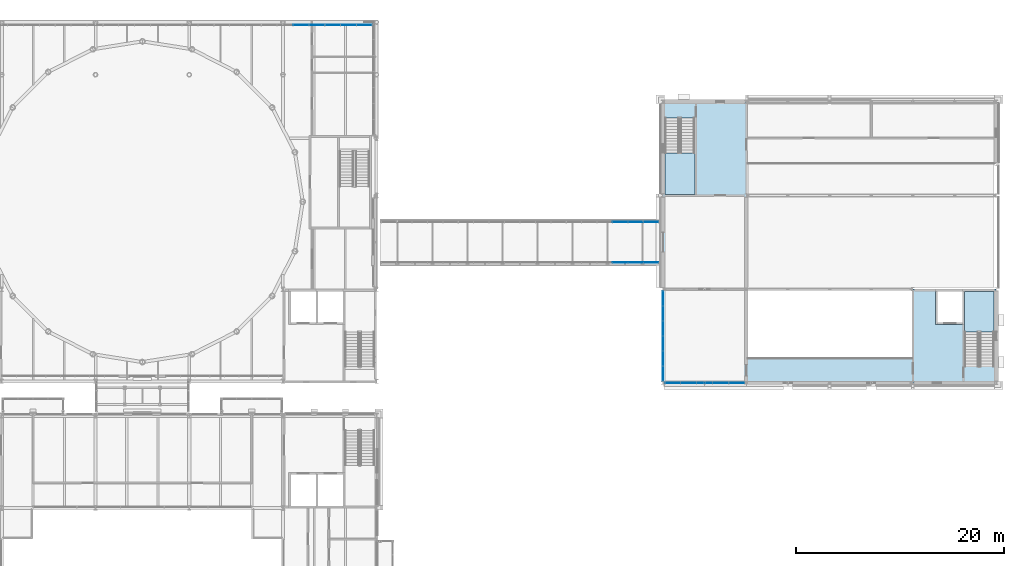
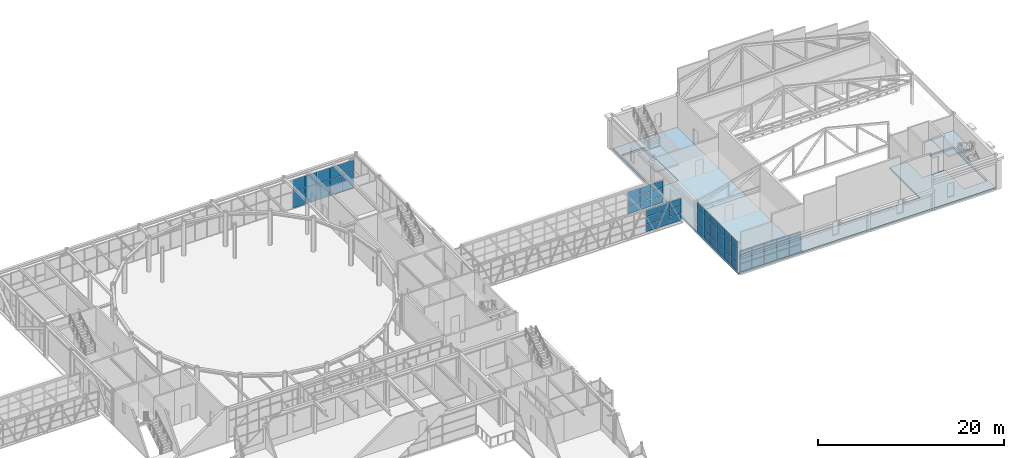
# One storey, part 85 of 149: 61 plates, 4 slabs, 7 elements without a shape of their own.
"""IFC4 building model written with IfcOpenShell, lengths in metres."""

from ifc_helpers import new_model, si_unit, direction, frame, origin, origin_2d, place, context, subcontext, project, spatial, polyline, rectangle, outline, extrude, material, layer, layer_set, type_object, element, aggregate, save


model = new_model("IFC4")

# Units and contexts
model_context = context("Model", 3, precision=1e-05, world=origin(), true_north=direction((0.0, 1.0)))
body_context = subcontext(model_context, "Body", "Model", "MODEL_VIEW")
ifc_project = project(units=[si_unit("LENGTHUNIT", "METRE"), si_unit("AREAUNIT", "SQUARE_METRE"), si_unit("VOLUMEUNIT", "CUBIC_METRE"), si_unit("PLANEANGLEUNIT", "RADIAN"), si_unit("MASSUNIT", "GRAM", prefix="KILO")], contexts=[model_context])

# Site, building, storey
site_placement = place(None, origin())
site = spatial("IfcSite", under=ifc_project, at=site_placement, CompositionType="ELEMENT")
building_placement = place(site_placement, origin())
building = spatial("IfcBuilding", under=site, at=building_placement, Name="Kallimachos Central Library", CompositionType="ELEMENT")
storey_placement = place(building_placement, frame((0.0, 0.0, 9.89990234375)))
storey = spatial("IfcBuildingStorey", under=building, at=storey_placement, Name="L02", CompositionType="ELEMENT", Elevation=9.89990234375)

# Slabs
ifc_material_1 = material(Name="Composite slab C30/37 on steel deck", Category="concrete")
ifc_layer_1 = layer(ifc_material_1, 0.25)
ifc_layer_set_1 = layer_set([ifc_layer_1], Name="Core floor slab 250")
slab_type_1 = type_object("IfcSlabType", Name="Core floor slab 250", PredefinedType="FLOOR", material=ifc_layer_set_1)
slab_1_placement = place(storey_placement, frame((0.0, 0.0, -0.25)))
element("IfcSlab", 1, at=slab_1_placement, inside=storey, type_object=slab_type_1, Name="V3-SLB-L02-001", PredefinedType="FLOOR", context=body_context, shape_type="SweptSolid", body=[
    extrude(outline(polyline([(138.0, 87.0), (138.0, 114.0), (146.0, 114.0), (146.0, 87.0), (138.0, 87.0)]), holes=[polyline([(138.199951171875, 105.199951171875), (141.050048828125, 105.199951171875), (141.050048828125, 112.446044921875), (138.199951171875, 112.446044921875), (138.199951171875, 105.199951171875)])]), origin(), (0.0, 0.0, 1.0), 0.25),
])
slab_2_placement = place(storey_placement, frame((0.0, 0.0, -0.25)))
element("IfcSlab", 2, at=slab_2_placement, inside=storey, type_object=slab_type_1, Name="V3-SLB-L02-002", PredefinedType="FLOOR", context=body_context, shape_type="SweptSolid", body=[
    extrude(outline(polyline([(146.0, 89.39990234375), (162.0, 89.39990234375), (162.0, 96.0), (164.14990234375, 96.0), (164.14990234375, 92.60009765625), (166.949951171875, 92.60009765625), (166.949951171875, 88.553955078125), (169.800048828125, 88.553955078125), (169.800048828125, 95.800048828125), (166.949951171875, 95.800048828125), (166.949951171875, 96.0), (170.0, 96.0), (170.0, 87.0), (146.0, 87.0), (146.0, 89.39990234375)])), origin(), (0.0, 0.0, 1.0), 0.25),
])

# Curtain wall, plates
ifc_material_2 = material(Name="Laminated glass in anodised aluminium", Category="aluminium")
curtain_wall_type_1 = type_object("IfcCurtainWallType", Name="Foyer curtain wall", PredefinedType="NOTDEFINED", material=ifc_material_2)
curtain_wall_1_placement = place(storey_placement, origin())
curtain_wall_1 = element("IfcCurtainWall", 3, at=curtain_wall_1_placement, inside=storey, type_object=curtain_wall_type_1, Name="V3-CWL-L02-001", PredefinedType="NOTDEFINED")
ifc_material_3 = material(Name="Laminated glass", Category="glass")
ifc_layer_2 = layer(ifc_material_3, 0.028076171875)
ifc_layer_set_2 = layer_set([ifc_layer_2], Name="Curtain wall glass panel 28")
plate_type_1 = type_object("IfcPlateType", Name="Curtain wall glass panel 28", PredefinedType="CURTAIN_PANEL", material=ifc_layer_set_2)
plate_1_placement = place(storey_placement, frame((138.0, 87.889892578125, 0.06005859375), z_axis=(0.0, 0.0, 1.0), x_axis=(0.0, 1.0, 0.0)))
plate_1 = element("IfcPlate", 4, at=plate_1_placement, type_object=plate_type_1, Name="CW panel 1.1", PredefinedType="CURTAIN_PANEL", context=body_context, shape_type="SweptSolid", body=[
    extrude(rectangle(XDim=1.360107421875, YDim=0.028076171875, at=origin_2d()), origin(), (0.0, 0.0, 1.0), 1.010009765625),
])
plate_2_placement = place(storey_placement, frame((138.0, 87.889892578125, 1.1298828125), z_axis=(0.0, 0.0, 1.0), x_axis=(0.0, 1.0, 0.0)))
plate_2 = element("IfcPlate", 5, at=plate_2_placement, type_object=plate_type_1, Name="CW panel 1.2", PredefinedType="CURTAIN_PANEL", context=body_context, shape_type="SweptSolid", body=[
    extrude(rectangle(XDim=1.360107421875, YDim=0.028076171875, at=origin_2d()), origin(), (0.0, 0.0, 1.0), 1.840087890625),
])
plate_3_placement = place(storey_placement, frame((138.0, 87.889892578125, 3.030029296875), z_axis=(0.0, 0.0, 1.0), x_axis=(0.0, 1.0, 0.0)))
plate_3 = element("IfcPlate", 6, at=plate_3_placement, type_object=plate_type_1, Name="CW panel 1.3", PredefinedType="CURTAIN_PANEL", context=body_context, shape_type="SweptSolid", body=[
    extrude(rectangle(XDim=1.360107421875, YDim=0.028076171875, at=origin_2d()), origin(), (0.0, 0.0, 1.0), 0.9599609375),
])
plate_4_placement = place(storey_placement, frame((138.0, 89.324951171875, 0.06005859375), z_axis=(0.0, 0.0, 1.0), x_axis=(0.0, 1.0, 0.0)))
plate_4 = element("IfcPlate", 7, at=plate_4_placement, type_object=plate_type_1, Name="CW panel 2.1", PredefinedType="CURTAIN_PANEL", context=body_context, shape_type="SweptSolid", body=[
    extrude(rectangle(XDim=1.389892578125, YDim=0.028076171875, at=origin_2d()), origin(), (0.0, 0.0, 1.0), 1.010009765625),
])
plate_5_placement = place(storey_placement, frame((138.0, 89.324951171875, 1.1298828125), z_axis=(0.0, 0.0, 1.0), x_axis=(0.0, 1.0, 0.0)))
plate_5 = element("IfcPlate", 8, at=plate_5_placement, type_object=plate_type_1, Name="CW panel 2.2", PredefinedType="CURTAIN_PANEL", context=body_context, shape_type="SweptSolid", body=[
    extrude(rectangle(XDim=1.389892578125, YDim=0.028076171875, at=origin_2d()), origin(), (0.0, 0.0, 1.0), 1.840087890625),
])
plate_6_placement = place(storey_placement, frame((138.0, 89.324951171875, 3.030029296875), z_axis=(0.0, 0.0, 1.0), x_axis=(0.0, 1.0, 0.0)))
plate_6 = element("IfcPlate", 9, at=plate_6_placement, type_object=plate_type_1, Name="CW panel 2.3", PredefinedType="CURTAIN_PANEL", context=body_context, shape_type="SweptSolid", body=[
    extrude(rectangle(XDim=1.389892578125, YDim=0.028076171875, at=origin_2d()), origin(), (0.0, 0.0, 1.0), 0.9599609375),
])
plate_7_placement = place(storey_placement, frame((138.0, 90.77490234375, 0.06005859375), z_axis=(0.0, 0.0, 1.0), x_axis=(0.0, 1.0, 0.0)))
plate_7 = element("IfcPlate", 10, at=plate_7_placement, type_object=plate_type_1, Name="CW panel 3.1", PredefinedType="CURTAIN_PANEL", context=body_context, shape_type="SweptSolid", body=[
    extrude(rectangle(XDim=1.389892578125, YDim=0.028076171875, at=origin_2d()), origin(), (0.0, 0.0, 1.0), 1.010009765625),
])
plate_8_placement = place(storey_placement, frame((138.0, 90.77490234375, 1.1298828125), z_axis=(0.0, 0.0, 1.0), x_axis=(0.0, 1.0, 0.0)))
plate_8 = element("IfcPlate", 11, at=plate_8_placement, type_object=plate_type_1, Name="CW panel 3.2", PredefinedType="CURTAIN_PANEL", context=body_context, shape_type="SweptSolid", body=[
    extrude(rectangle(XDim=1.389892578125, YDim=0.028076171875, at=origin_2d()), origin(), (0.0, 0.0, 1.0), 1.840087890625),
])
plate_9_placement = place(storey_placement, frame((138.0, 90.77490234375, 3.030029296875), z_axis=(0.0, 0.0, 1.0), x_axis=(0.0, 1.0, 0.0)))
plate_9 = element("IfcPlate", 12, at=plate_9_placement, type_object=plate_type_1, Name="CW panel 3.3", PredefinedType="CURTAIN_PANEL", context=body_context, shape_type="SweptSolid", body=[
    extrude(rectangle(XDim=1.389892578125, YDim=0.028076171875, at=origin_2d()), origin(), (0.0, 0.0, 1.0), 0.9599609375),
])
plate_10_placement = place(storey_placement, frame((138.0, 92.22509765625, 0.06005859375), z_axis=(0.0, 0.0, 1.0), x_axis=(0.0, 1.0, 0.0)))
plate_10 = element("IfcPlate", 13, at=plate_10_placement, type_object=plate_type_1, Name="CW panel 4.1", PredefinedType="CURTAIN_PANEL", context=body_context, shape_type="SweptSolid", body=[
    extrude(rectangle(XDim=1.389892578125, YDim=0.028076171875, at=origin_2d()), origin(), (0.0, 0.0, 1.0), 1.010009765625),
])
plate_11_placement = place(storey_placement, frame((138.0, 92.22509765625, 1.1298828125), z_axis=(0.0, 0.0, 1.0), x_axis=(0.0, 1.0, 0.0)))
plate_11 = element("IfcPlate", 14, at=plate_11_placement, type_object=plate_type_1, Name="CW panel 4.2", PredefinedType="CURTAIN_PANEL", context=body_context, shape_type="SweptSolid", body=[
    extrude(rectangle(XDim=1.389892578125, YDim=0.028076171875, at=origin_2d()), origin(), (0.0, 0.0, 1.0), 1.840087890625),
])
plate_12_placement = place(storey_placement, frame((138.0, 92.22509765625, 3.030029296875), z_axis=(0.0, 0.0, 1.0), x_axis=(0.0, 1.0, 0.0)))
plate_12 = element("IfcPlate", 15, at=plate_12_placement, type_object=plate_type_1, Name="CW panel 4.3", PredefinedType="CURTAIN_PANEL", context=body_context, shape_type="SweptSolid", body=[
    extrude(rectangle(XDim=1.389892578125, YDim=0.028076171875, at=origin_2d()), origin(), (0.0, 0.0, 1.0), 0.9599609375),
])
plate_13_placement = place(storey_placement, frame((138.0, 93.675048828125, 0.06005859375), z_axis=(0.0, 0.0, 1.0), x_axis=(0.0, 1.0, 0.0)))
plate_13 = element("IfcPlate", 16, at=plate_13_placement, type_object=plate_type_1, Name="CW panel 5.1", PredefinedType="CURTAIN_PANEL", context=body_context, shape_type="SweptSolid", body=[
    extrude(rectangle(XDim=1.389892578125, YDim=0.028076171875, at=origin_2d()), origin(), (0.0, 0.0, 1.0), 1.010009765625),
])
plate_14_placement = place(storey_placement, frame((138.0, 93.675048828125, 1.1298828125), z_axis=(0.0, 0.0, 1.0), x_axis=(0.0, 1.0, 0.0)))
plate_14 = element("IfcPlate", 17, at=plate_14_placement, type_object=plate_type_1, Name="CW panel 5.2", PredefinedType="CURTAIN_PANEL", context=body_context, shape_type="SweptSolid", body=[
    extrude(rectangle(XDim=1.389892578125, YDim=0.028076171875, at=origin_2d()), origin(), (0.0, 0.0, 1.0), 1.840087890625),
])
plate_15_placement = place(storey_placement, frame((138.0, 93.675048828125, 3.030029296875), z_axis=(0.0, 0.0, 1.0), x_axis=(0.0, 1.0, 0.0)))
plate_15 = element("IfcPlate", 18, at=plate_15_placement, type_object=plate_type_1, Name="CW panel 5.3", PredefinedType="CURTAIN_PANEL", context=body_context, shape_type="SweptSolid", body=[
    extrude(rectangle(XDim=1.389892578125, YDim=0.028076171875, at=origin_2d()), origin(), (0.0, 0.0, 1.0), 0.9599609375),
])
plate_16_placement = place(storey_placement, frame((138.0, 95.110107421875, 0.06005859375), z_axis=(0.0, 0.0, 1.0), x_axis=(0.0, 1.0, 0.0)))
plate_16 = element("IfcPlate", 19, at=plate_16_placement, type_object=plate_type_1, Name="CW panel 6.1", PredefinedType="CURTAIN_PANEL", context=body_context, shape_type="SweptSolid", body=[
    extrude(rectangle(XDim=1.360107421875, YDim=0.028076171875, at=origin_2d()), origin(), (0.0, 0.0, 1.0), 1.010009765625),
])
plate_17_placement = place(storey_placement, frame((138.0, 95.110107421875, 1.1298828125), z_axis=(0.0, 0.0, 1.0), x_axis=(0.0, 1.0, 0.0)))
plate_17 = element("IfcPlate", 20, at=plate_17_placement, type_object=plate_type_1, Name="CW panel 6.2", PredefinedType="CURTAIN_PANEL", context=body_context, shape_type="SweptSolid", body=[
    extrude(rectangle(XDim=1.360107421875, YDim=0.028076171875, at=origin_2d()), origin(), (0.0, 0.0, 1.0), 1.840087890625),
])
plate_18_placement = place(storey_placement, frame((138.0, 95.110107421875, 3.030029296875), z_axis=(0.0, 0.0, 1.0), x_axis=(0.0, 1.0, 0.0)))
plate_18 = element("IfcPlate", 21, at=plate_18_placement, type_object=plate_type_1, Name="CW panel 6.3", PredefinedType="CURTAIN_PANEL", context=body_context, shape_type="SweptSolid", body=[
    extrude(rectangle(XDim=1.360107421875, YDim=0.028076171875, at=origin_2d()), origin(), (0.0, 0.0, 1.0), 0.9599609375),
])
aggregate(curtain_wall_1, [plate_1, plate_2, plate_3, plate_4, plate_5, plate_6, plate_7, plate_8, plate_9, plate_10, plate_11, plate_12, plate_13, plate_14, plate_15, plate_16, plate_17, plate_18])

curtain_wall_2_placement = place(storey_placement, origin())
curtain_wall_2 = element("IfcCurtainWall", 22, at=curtain_wall_2_placement, inside=storey, type_object=curtain_wall_type_1, Name="V3-CWL-L02-002", PredefinedType="NOTDEFINED")
plate_19_placement = place(storey_placement, frame((138.93505859375, 87.0, 0.06005859375), z_axis=(0.0, 0.0, 1.0), x_axis=(1.0, 0.0, 0.0)))
plate_19 = element("IfcPlate", 23, at=plate_19_placement, type_object=plate_type_1, Name="CW panel 1.1", PredefinedType="CURTAIN_PANEL", context=body_context, shape_type="SweptSolid", body=[
    extrude(rectangle(XDim=1.449951171875, YDim=0.028076171875, at=origin_2d()), origin(), (0.0, 0.0, 1.0), 1.010009765625),
])
plate_20_placement = place(storey_placement, frame((138.93505859375, 87.0, 1.1298828125), z_axis=(0.0, 0.0, 1.0), x_axis=(1.0, 0.0, 0.0)))
plate_20 = element("IfcPlate", 24, at=plate_20_placement, type_object=plate_type_1, Name="CW panel 1.2", PredefinedType="CURTAIN_PANEL", context=body_context, shape_type="SweptSolid", body=[
    extrude(rectangle(XDim=1.449951171875, YDim=0.028076171875, at=origin_2d()), origin(), (0.0, 0.0, 1.0), 1.090087890625),
])
plate_21_placement = place(storey_placement, frame((138.93505859375, 87.0, 2.2802734375), z_axis=(0.0, 0.0, 1.0), x_axis=(1.0, 0.0, 0.0)))
plate_21 = element("IfcPlate", 25, at=plate_21_placement, type_object=plate_type_1, Name="CW panel 1.3", PredefinedType="CURTAIN_PANEL", context=body_context, shape_type="SweptSolid", body=[
    extrude(rectangle(XDim=1.449951171875, YDim=0.028076171875, at=origin_2d()), origin(), (0.0, 0.0, 1.0), 0.510009765625),
])
plate_22_placement = place(storey_placement, frame((140.4599609375, 87.0, 0.06005859375), z_axis=(0.0, 0.0, 1.0), x_axis=(1.0, 0.0, 0.0)))
plate_22 = element("IfcPlate", 26, at=plate_22_placement, type_object=plate_type_1, Name="CW panel 2.1", PredefinedType="CURTAIN_PANEL", context=body_context, shape_type="SweptSolid", body=[
    extrude(rectangle(XDim=1.47998046875, YDim=0.028076171875, at=origin_2d()), origin(), (0.0, 0.0, 1.0), 1.010009765625),
])
plate_23_placement = place(storey_placement, frame((140.4599609375, 87.0, 1.1298828125), z_axis=(0.0, 0.0, 1.0), x_axis=(1.0, 0.0, 0.0)))
plate_23 = element("IfcPlate", 27, at=plate_23_placement, type_object=plate_type_1, Name="CW panel 2.2", PredefinedType="CURTAIN_PANEL", context=body_context, shape_type="SweptSolid", body=[
    extrude(rectangle(XDim=1.47998046875, YDim=0.028076171875, at=origin_2d()), origin(), (0.0, 0.0, 1.0), 1.090087890625),
])
plate_24_placement = place(storey_placement, frame((140.4599609375, 87.0, 2.2802734375), z_axis=(0.0, 0.0, 1.0), x_axis=(1.0, 0.0, 0.0)))
plate_24 = element("IfcPlate", 28, at=plate_24_placement, type_object=plate_type_1, Name="CW panel 2.3", PredefinedType="CURTAIN_PANEL", context=body_context, shape_type="SweptSolid", body=[
    extrude(rectangle(XDim=1.47998046875, YDim=0.028076171875, at=origin_2d()), origin(), (0.0, 0.0, 1.0), 0.510009765625),
])
plate_25_placement = place(storey_placement, frame((142.0, 87.0, 0.06005859375), z_axis=(0.0, 0.0, 1.0), x_axis=(1.0, 0.0, 0.0)))
plate_25 = element("IfcPlate", 29, at=plate_25_placement, type_object=plate_type_1, Name="CW panel 3.1", PredefinedType="CURTAIN_PANEL", context=body_context, shape_type="SweptSolid", body=[
    extrude(rectangle(XDim=1.47998046875, YDim=0.028076171875, at=origin_2d()), origin(), (0.0, 0.0, 1.0), 1.010009765625),
])
plate_26_placement = place(storey_placement, frame((142.0, 87.0, 1.1298828125), z_axis=(0.0, 0.0, 1.0), x_axis=(1.0, 0.0, 0.0)))
plate_26 = element("IfcPlate", 30, at=plate_26_placement, type_object=plate_type_1, Name="CW panel 3.2", PredefinedType="CURTAIN_PANEL", context=body_context, shape_type="SweptSolid", body=[
    extrude(rectangle(XDim=1.47998046875, YDim=0.028076171875, at=origin_2d()), origin(), (0.0, 0.0, 1.0), 1.090087890625),
])
plate_27_placement = place(storey_placement, frame((142.0, 87.0, 2.2802734375), z_axis=(0.0, 0.0, 1.0), x_axis=(1.0, 0.0, 0.0)))
plate_27 = element("IfcPlate", 31, at=plate_27_placement, type_object=plate_type_1, Name="CW panel 3.3", PredefinedType="CURTAIN_PANEL", context=body_context, shape_type="SweptSolid", body=[
    extrude(rectangle(XDim=1.47998046875, YDim=0.028076171875, at=origin_2d()), origin(), (0.0, 0.0, 1.0), 0.510009765625),
])
plate_28_placement = place(storey_placement, frame((143.5400390625, 87.0, 0.06005859375), z_axis=(0.0, 0.0, 1.0), x_axis=(1.0, 0.0, 0.0)))
plate_28 = element("IfcPlate", 32, at=plate_28_placement, type_object=plate_type_1, Name="CW panel 4.1", PredefinedType="CURTAIN_PANEL", context=body_context, shape_type="SweptSolid", body=[
    extrude(rectangle(XDim=1.47998046875, YDim=0.028076171875, at=origin_2d()), origin(), (0.0, 0.0, 1.0), 1.010009765625),
])
plate_29_placement = place(storey_placement, frame((143.5400390625, 87.0, 1.1298828125), z_axis=(0.0, 0.0, 1.0), x_axis=(1.0, 0.0, 0.0)))
plate_29 = element("IfcPlate", 33, at=plate_29_placement, type_object=plate_type_1, Name="CW panel 4.2", PredefinedType="CURTAIN_PANEL", context=body_context, shape_type="SweptSolid", body=[
    extrude(rectangle(XDim=1.47998046875, YDim=0.028076171875, at=origin_2d()), origin(), (0.0, 0.0, 1.0), 1.090087890625),
])
plate_30_placement = place(storey_placement, frame((143.5400390625, 87.0, 2.2802734375), z_axis=(0.0, 0.0, 1.0), x_axis=(1.0, 0.0, 0.0)))
plate_30 = element("IfcPlate", 34, at=plate_30_placement, type_object=plate_type_1, Name="CW panel 4.3", PredefinedType="CURTAIN_PANEL", context=body_context, shape_type="SweptSolid", body=[
    extrude(rectangle(XDim=1.47998046875, YDim=0.028076171875, at=origin_2d()), origin(), (0.0, 0.0, 1.0), 0.510009765625),
])
plate_31_placement = place(storey_placement, frame((145.06494140625, 87.0, 0.06005859375), z_axis=(0.0, 0.0, 1.0), x_axis=(1.0, 0.0, 0.0)))
plate_31 = element("IfcPlate", 35, at=plate_31_placement, type_object=plate_type_1, Name="CW panel 5.1", PredefinedType="CURTAIN_PANEL", context=body_context, shape_type="SweptSolid", body=[
    extrude(rectangle(XDim=1.449951171875, YDim=0.028076171875, at=origin_2d()), origin(), (0.0, 0.0, 1.0), 1.010009765625),
])
plate_32_placement = place(storey_placement, frame((145.06494140625, 87.0, 1.1298828125), z_axis=(0.0, 0.0, 1.0), x_axis=(1.0, 0.0, 0.0)))
plate_32 = element("IfcPlate", 36, at=plate_32_placement, type_object=plate_type_1, Name="CW panel 5.2", PredefinedType="CURTAIN_PANEL", context=body_context, shape_type="SweptSolid", body=[
    extrude(rectangle(XDim=1.449951171875, YDim=0.028076171875, at=origin_2d()), origin(), (0.0, 0.0, 1.0), 1.090087890625),
])
plate_33_placement = place(storey_placement, frame((145.06494140625, 87.0, 2.2802734375), z_axis=(0.0, 0.0, 1.0), x_axis=(1.0, 0.0, 0.0)))
plate_33 = element("IfcPlate", 37, at=plate_33_placement, type_object=plate_type_1, Name="CW panel 5.3", PredefinedType="CURTAIN_PANEL", context=body_context, shape_type="SweptSolid", body=[
    extrude(rectangle(XDim=1.449951171875, YDim=0.028076171875, at=origin_2d()), origin(), (0.0, 0.0, 1.0), 0.510009765625),
])
aggregate(curtain_wall_2, [plate_19, plate_20, plate_21, plate_22, plate_23, plate_24, plate_25, plate_26, plate_27, plate_28, plate_29, plate_30, plate_31, plate_32, plate_33])

ifc_material_4 = material(Name="Anodised aluminium and laminated glass", Category="aluminium")
ifc_layer_3 = layer(ifc_material_4, 0.159912109375)
ifc_layer_set_3 = layer_set([ifc_layer_3], Name="Glass box curtain wall")
curtain_wall_type_2 = type_object("IfcCurtainWallType", Name="Glass box curtain wall", PredefinedType="NOTDEFINED", material=ifc_layer_set_3)
curtain_wall_3_placement = place(storey_placement, origin())
curtain_wall_3 = element("IfcCurtainWall", 38, at=curtain_wall_3_placement, inside=storey, type_object=curtain_wall_type_2, Name="Glass box curtain wall N L02", PredefinedType="NOTDEFINED")
ifc_material_5 = material(Name="Laminated glass", Category="glass")
ifc_layer_4 = layer(ifc_material_5, 0.028076171875)
ifc_layer_set_4 = layer_set([ifc_layer_4], Name="Laminated glass panel 28")
plate_type_2 = type_object("IfcPlateType", Name="Laminated glass panel 28", PredefinedType="CURTAIN_PANEL", material=ifc_layer_set_4)
plate_34_placement = place(storey_placement, frame((103.2275390625, 121.3798828125, 0.06005859375), z_axis=(0.0, 0.0, 1.0), x_axis=(1.0, 0.0, 0.0)))
plate_34 = element("IfcPlate", 39, at=plate_34_placement, type_object=plate_type_2, Name="CW20 panel 25.1", PredefinedType="CURTAIN_PANEL", context=body_context, shape_type="SweptSolid", body=[
    extrude(rectangle(XDim=1.462646484375, YDim=0.028076171875, at=origin_2d()), origin(), (0.0, 0.0, 1.0), 2.159912109375),
])
plate_35_placement = place(storey_placement, frame((103.2275390625, 121.3798828125, 2.2802734375), z_axis=(0.0, 0.0, 1.0), x_axis=(1.0, 0.0, 0.0)))
plate_35 = element("IfcPlate", 40, at=plate_35_placement, type_object=plate_type_2, Name="CW20 panel 25.2", PredefinedType="CURTAIN_PANEL", context=body_context, shape_type="SweptSolid", body=[
    extrude(rectangle(XDim=1.462646484375, YDim=0.028076171875, at=origin_2d()), origin(), (0.0, 0.0, 1.0), 1.510009765625),
])
plate_36_placement = place(storey_placement, frame((104.750244140625, 121.3798828125, 0.06005859375), z_axis=(0.0, 0.0, 1.0), x_axis=(1.0, 0.0, 0.0)))
plate_36 = element("IfcPlate", 41, at=plate_36_placement, type_object=plate_type_2, Name="CW20 panel 26.1", PredefinedType="CURTAIN_PANEL", context=body_context, shape_type="SweptSolid", body=[
    extrude(rectangle(XDim=1.462646484375, YDim=0.028076171875, at=origin_2d()), origin(), (0.0, 0.0, 1.0), 2.159912109375),
])
plate_37_placement = place(storey_placement, frame((104.750244140625, 121.3798828125, 2.2802734375), z_axis=(0.0, 0.0, 1.0), x_axis=(1.0, 0.0, 0.0)))
plate_37 = element("IfcPlate", 42, at=plate_37_placement, type_object=plate_type_2, Name="CW20 panel 26.2", PredefinedType="CURTAIN_PANEL", context=body_context, shape_type="SweptSolid", body=[
    extrude(rectangle(XDim=1.462646484375, YDim=0.028076171875, at=origin_2d()), origin(), (0.0, 0.0, 1.0), 1.510009765625),
])
plate_38_placement = place(storey_placement, frame((106.273193359375, 121.3798828125, 0.06005859375), z_axis=(0.0, 0.0, 1.0), x_axis=(1.0, 0.0, 0.0)))
plate_38 = element("IfcPlate", 43, at=plate_38_placement, type_object=plate_type_2, Name="CW20 panel 27.1", PredefinedType="CURTAIN_PANEL", context=body_context, shape_type="SweptSolid", body=[
    extrude(rectangle(XDim=1.462646484375, YDim=0.028076171875, at=origin_2d()), origin(), (0.0, 0.0, 1.0), 2.159912109375),
])
plate_39_placement = place(storey_placement, frame((106.273193359375, 121.3798828125, 2.2802734375), z_axis=(0.0, 0.0, 1.0), x_axis=(1.0, 0.0, 0.0)))
plate_39 = element("IfcPlate", 44, at=plate_39_placement, type_object=plate_type_2, Name="CW20 panel 27.2", PredefinedType="CURTAIN_PANEL", context=body_context, shape_type="SweptSolid", body=[
    extrude(rectangle(XDim=1.462646484375, YDim=0.028076171875, at=origin_2d()), origin(), (0.0, 0.0, 1.0), 1.510009765625),
])
plate_40_placement = place(storey_placement, frame((107.7958984375, 121.3798828125, 0.06005859375), z_axis=(0.0, 0.0, 1.0), x_axis=(1.0, 0.0, 0.0)))
plate_40 = element("IfcPlate", 45, at=plate_40_placement, type_object=plate_type_2, Name="CW20 panel 28.1", PredefinedType="CURTAIN_PANEL", context=body_context, shape_type="SweptSolid", body=[
    extrude(rectangle(XDim=1.462646484375, YDim=0.028076171875, at=origin_2d()), origin(), (0.0, 0.0, 1.0), 2.159912109375),
])
plate_41_placement = place(storey_placement, frame((107.7958984375, 121.3798828125, 2.2802734375), z_axis=(0.0, 0.0, 1.0), x_axis=(1.0, 0.0, 0.0)))
plate_41 = element("IfcPlate", 46, at=plate_41_placement, type_object=plate_type_2, Name="CW20 panel 28.2", PredefinedType="CURTAIN_PANEL", context=body_context, shape_type="SweptSolid", body=[
    extrude(rectangle(XDim=1.462646484375, YDim=0.028076171875, at=origin_2d()), origin(), (0.0, 0.0, 1.0), 1.510009765625),
])
plate_42_placement = place(storey_placement, frame((109.3037109375, 121.3798828125, 0.06005859375), z_axis=(0.0, 0.0, 1.0), x_axis=(1.0, 0.0, 0.0)))
plate_42 = element("IfcPlate", 47, at=plate_42_placement, type_object=plate_type_2, Name="CW20 panel 29.1", PredefinedType="CURTAIN_PANEL", context=body_context, shape_type="SweptSolid", body=[
    extrude(rectangle(XDim=1.432861328125, YDim=0.028076171875, at=origin_2d()), origin(), (0.0, 0.0, 1.0), 2.159912109375),
])
plate_43_placement = place(storey_placement, frame((109.3037109375, 121.3798828125, 2.2802734375), z_axis=(0.0, 0.0, 1.0), x_axis=(1.0, 0.0, 0.0)))
plate_43 = element("IfcPlate", 48, at=plate_43_placement, type_object=plate_type_2, Name="CW20 panel 29.2", PredefinedType="CURTAIN_PANEL", context=body_context, shape_type="SweptSolid", body=[
    extrude(rectangle(XDim=1.432861328125, YDim=0.028076171875, at=origin_2d()), origin(), (0.0, 0.0, 1.0), 1.510009765625),
])
aggregate(curtain_wall_3, [plate_34, plate_35, plate_36, plate_37, plate_38, plate_39, plate_40, plate_41, plate_42, plate_43])

ifc_material_6 = material(Name="Aluminium and laminated glass", Category="aluminium")
curtain_wall_type_3 = type_object("IfcCurtainWallType", Name="Link glazed wall", PredefinedType="NOTDEFINED", material=ifc_material_6)
curtain_wall_4_placement = place(storey_placement, origin())
curtain_wall_4 = element("IfcCurtainWall", 49, at=curtain_wall_4_placement, inside=storey, type_object=curtain_wall_type_3, Name="V1 to V3 bridge glazed side", PredefinedType="NOTDEFINED")
plate_44_placement = place(storey_placement, frame((133.89501953125, 98.550048828125, 0.06005859375), z_axis=(0.0, 0.0, 1.0), x_axis=(1.0, 0.0, 0.0)))
plate_44 = element("IfcPlate", 50, at=plate_44_placement, type_object=plate_type_2, Name="CW74 panel 16.1", PredefinedType="CURTAIN_PANEL", context=body_context, shape_type="SweptSolid", body=[
    extrude(rectangle(XDim=1.421875, YDim=0.028076171875, at=origin_2d()), origin(), (0.0, 0.0, 1.0), 0.909912109375),
])
plate_45_placement = place(storey_placement, frame((133.89501953125, 98.550048828125, 1.030029296875), z_axis=(0.0, 0.0, 1.0), x_axis=(1.0, 0.0, 0.0)))
plate_45 = element("IfcPlate", 51, at=plate_45_placement, type_object=plate_type_2, Name="CW74 panel 16.2", PredefinedType="CURTAIN_PANEL", context=body_context, shape_type="SweptSolid", body=[
    extrude(rectangle(XDim=1.421875, YDim=0.028076171875, at=origin_2d()), origin(), (0.0, 0.0, 1.0), 0.93994140625),
])
plate_46_placement = place(storey_placement, frame((133.89501953125, 98.550048828125, 2.0302734375), z_axis=(0.0, 0.0, 1.0), x_axis=(1.0, 0.0, 0.0)))
plate_46 = element("IfcPlate", 52, at=plate_46_placement, type_object=plate_type_2, Name="CW74 panel 16.3", PredefinedType="CURTAIN_PANEL", context=body_context, shape_type="SweptSolid", body=[
    extrude(rectangle(XDim=1.421875, YDim=0.028076171875, at=origin_2d()), origin(), (0.0, 0.0, 1.0), 0.909912109375),
])
plate_47_placement = place(storey_placement, frame((135.377197265625, 98.550048828125, 0.06005859375), z_axis=(0.0, 0.0, 1.0), x_axis=(1.0, 0.0, 0.0)))
plate_47 = element("IfcPlate", 53, at=plate_47_placement, type_object=plate_type_2, Name="CW74 panel 17.1", PredefinedType="CURTAIN_PANEL", context=body_context, shape_type="SweptSolid", body=[
    extrude(rectangle(XDim=1.421875, YDim=0.028076171875, at=origin_2d()), origin(), (0.0, 0.0, 1.0), 0.909912109375),
])
plate_48_placement = place(storey_placement, frame((135.377197265625, 98.550048828125, 1.030029296875), z_axis=(0.0, 0.0, 1.0), x_axis=(1.0, 0.0, 0.0)))
plate_48 = element("IfcPlate", 54, at=plate_48_placement, type_object=plate_type_2, Name="CW74 panel 17.2", PredefinedType="CURTAIN_PANEL", context=body_context, shape_type="SweptSolid", body=[
    extrude(rectangle(XDim=1.421875, YDim=0.028076171875, at=origin_2d()), origin(), (0.0, 0.0, 1.0), 0.93994140625),
])
plate_49_placement = place(storey_placement, frame((135.377197265625, 98.550048828125, 2.0302734375), z_axis=(0.0, 0.0, 1.0), x_axis=(1.0, 0.0, 0.0)))
plate_49 = element("IfcPlate", 55, at=plate_49_placement, type_object=plate_type_2, Name="CW74 panel 17.3", PredefinedType="CURTAIN_PANEL", context=body_context, shape_type="SweptSolid", body=[
    extrude(rectangle(XDim=1.421875, YDim=0.028076171875, at=origin_2d()), origin(), (0.0, 0.0, 1.0), 0.909912109375),
])
plate_50_placement = place(storey_placement, frame((136.843994140625, 98.550048828125, 0.06005859375), z_axis=(0.0, 0.0, 1.0), x_axis=(1.0, 0.0, 0.0)))
plate_50 = element("IfcPlate", 56, at=plate_50_placement, type_object=plate_type_2, Name="CW74 panel 18.1", PredefinedType="CURTAIN_PANEL", context=body_context, shape_type="SweptSolid", body=[
    extrude(rectangle(XDim=1.391845703125, YDim=0.028076171875, at=origin_2d()), origin(), (0.0, 0.0, 1.0), 0.909912109375),
])
plate_51_placement = place(storey_placement, frame((136.843994140625, 98.550048828125, 1.030029296875), z_axis=(0.0, 0.0, 1.0), x_axis=(1.0, 0.0, 0.0)))
plate_51 = element("IfcPlate", 57, at=plate_51_placement, type_object=plate_type_2, Name="CW74 panel 18.2", PredefinedType="CURTAIN_PANEL", context=body_context, shape_type="SweptSolid", body=[
    extrude(rectangle(XDim=1.391845703125, YDim=0.028076171875, at=origin_2d()), origin(), (0.0, 0.0, 1.0), 0.93994140625),
])
plate_52_placement = place(storey_placement, frame((136.843994140625, 98.550048828125, 2.0302734375), z_axis=(0.0, 0.0, 1.0), x_axis=(1.0, 0.0, 0.0)))
plate_52 = element("IfcPlate", 58, at=plate_52_placement, type_object=plate_type_2, Name="CW74 panel 18.3", PredefinedType="CURTAIN_PANEL", context=body_context, shape_type="SweptSolid", body=[
    extrude(rectangle(XDim=1.391845703125, YDim=0.028076171875, at=origin_2d()), origin(), (0.0, 0.0, 1.0), 0.909912109375),
])
aggregate(curtain_wall_4, [plate_44, plate_45, plate_46, plate_47, plate_48, plate_49, plate_50, plate_51, plate_52])

curtain_wall_5_placement = place(storey_placement, origin())
curtain_wall_5 = element("IfcCurtainWall", 59, at=curtain_wall_5_placement, inside=storey, type_object=curtain_wall_type_3, Name="V1 to V3 bridge glazed side", PredefinedType="NOTDEFINED")
plate_53_placement = place(storey_placement, frame((133.89501953125, 102.449951171875, 0.06005859375), z_axis=(0.0, 0.0, 1.0), x_axis=(1.0, 0.0, 0.0)))
plate_53 = element("IfcPlate", 60, at=plate_53_placement, type_object=plate_type_2, Name="CW75 panel 16.1", PredefinedType="CURTAIN_PANEL", context=body_context, shape_type="SweptSolid", body=[
    extrude(rectangle(XDim=1.421875, YDim=0.028076171875, at=origin_2d()), origin(), (0.0, 0.0, 1.0), 0.909912109375),
])
plate_54_placement = place(storey_placement, frame((133.89501953125, 102.449951171875, 1.030029296875), z_axis=(0.0, 0.0, 1.0), x_axis=(1.0, 0.0, 0.0)))
plate_54 = element("IfcPlate", 61, at=plate_54_placement, type_object=plate_type_2, Name="CW75 panel 16.2", PredefinedType="CURTAIN_PANEL", context=body_context, shape_type="SweptSolid", body=[
    extrude(rectangle(XDim=1.421875, YDim=0.028076171875, at=origin_2d()), origin(), (0.0, 0.0, 1.0), 0.93994140625),
])
plate_55_placement = place(storey_placement, frame((133.89501953125, 102.449951171875, 2.0302734375), z_axis=(0.0, 0.0, 1.0), x_axis=(1.0, 0.0, 0.0)))
plate_55 = element("IfcPlate", 62, at=plate_55_placement, type_object=plate_type_2, Name="CW75 panel 16.3", PredefinedType="CURTAIN_PANEL", context=body_context, shape_type="SweptSolid", body=[
    extrude(rectangle(XDim=1.421875, YDim=0.028076171875, at=origin_2d()), origin(), (0.0, 0.0, 1.0), 0.909912109375),
])
plate_56_placement = place(storey_placement, frame((135.377197265625, 102.449951171875, 0.06005859375), z_axis=(0.0, 0.0, 1.0), x_axis=(1.0, 0.0, 0.0)))
plate_56 = element("IfcPlate", 63, at=plate_56_placement, type_object=plate_type_2, Name="CW75 panel 17.1", PredefinedType="CURTAIN_PANEL", context=body_context, shape_type="SweptSolid", body=[
    extrude(rectangle(XDim=1.421875, YDim=0.028076171875, at=origin_2d()), origin(), (0.0, 0.0, 1.0), 0.909912109375),
])
plate_57_placement = place(storey_placement, frame((135.377197265625, 102.449951171875, 1.030029296875), z_axis=(0.0, 0.0, 1.0), x_axis=(1.0, 0.0, 0.0)))
plate_57 = element("IfcPlate", 64, at=plate_57_placement, type_object=plate_type_2, Name="CW75 panel 17.2", PredefinedType="CURTAIN_PANEL", context=body_context, shape_type="SweptSolid", body=[
    extrude(rectangle(XDim=1.421875, YDim=0.028076171875, at=origin_2d()), origin(), (0.0, 0.0, 1.0), 0.93994140625),
])
plate_58_placement = place(storey_placement, frame((135.377197265625, 102.449951171875, 2.0302734375), z_axis=(0.0, 0.0, 1.0), x_axis=(1.0, 0.0, 0.0)))
plate_58 = element("IfcPlate", 65, at=plate_58_placement, type_object=plate_type_2, Name="CW75 panel 17.3", PredefinedType="CURTAIN_PANEL", context=body_context, shape_type="SweptSolid", body=[
    extrude(rectangle(XDim=1.421875, YDim=0.028076171875, at=origin_2d()), origin(), (0.0, 0.0, 1.0), 0.909912109375),
])
plate_59_placement = place(storey_placement, frame((136.843994140625, 102.449951171875, 0.06005859375), z_axis=(0.0, 0.0, 1.0), x_axis=(1.0, 0.0, 0.0)))
plate_59 = element("IfcPlate", 66, at=plate_59_placement, type_object=plate_type_2, Name="CW75 panel 18.1", PredefinedType="CURTAIN_PANEL", context=body_context, shape_type="SweptSolid", body=[
    extrude(rectangle(XDim=1.391845703125, YDim=0.028076171875, at=origin_2d()), origin(), (0.0, 0.0, 1.0), 0.909912109375),
])
plate_60_placement = place(storey_placement, frame((136.843994140625, 102.449951171875, 1.030029296875), z_axis=(0.0, 0.0, 1.0), x_axis=(1.0, 0.0, 0.0)))
plate_60 = element("IfcPlate", 67, at=plate_60_placement, type_object=plate_type_2, Name="CW75 panel 18.2", PredefinedType="CURTAIN_PANEL", context=body_context, shape_type="SweptSolid", body=[
    extrude(rectangle(XDim=1.391845703125, YDim=0.028076171875, at=origin_2d()), origin(), (0.0, 0.0, 1.0), 0.93994140625),
])
plate_61_placement = place(storey_placement, frame((136.843994140625, 102.449951171875, 2.0302734375), z_axis=(0.0, 0.0, 1.0), x_axis=(1.0, 0.0, 0.0)))
plate_61 = element("IfcPlate", 68, at=plate_61_placement, type_object=plate_type_2, Name="CW75 panel 18.3", PredefinedType="CURTAIN_PANEL", context=body_context, shape_type="SweptSolid", body=[
    extrude(rectangle(XDim=1.391845703125, YDim=0.028076171875, at=origin_2d()), origin(), (0.0, 0.0, 1.0), 0.909912109375),
])
aggregate(curtain_wall_5, [plate_53, plate_54, plate_55, plate_56, plate_57, plate_58, plate_59, plate_60, plate_61])

# Stair, slab
ifc_material_7 = material(Name="Concrete C30/37", Category="concrete")
stair_type = type_object("IfcStairType", Name="Stair V3", PredefinedType="HALF_TURN_STAIR", material=ifc_material_7)
stair_1_placement = place(storey_placement, origin())
stair_1 = element("IfcStair", 69, at=stair_1_placement, inside=storey, type_object=stair_type, Name="L02 stair ST7", PredefinedType="HALF_TURN_STAIR")
ifc_material_8 = material(Name="Concrete C30/37", Category="concrete")
ifc_layer_5 = layer(ifc_material_8, 0.199951171875)
ifc_layer_set_5 = layer_set([ifc_layer_5], Name="Stair landing 200")
slab_type_2 = type_object("IfcSlabType", Name="Stair landing 200", PredefinedType="LANDING", material=ifc_layer_set_5)
slab_3_placement = place(storey_placement, frame((0.0, 0.0, 2.050048828125)))
slab_3 = element("IfcSlab", 70, at=slab_3_placement, type_object=slab_type_2, Name="ST7 landing 1", PredefinedType="LANDING", context=body_context, shape_type="SweptSolid", body=[
    extrude(outline(polyline([(169.800048828125, 91.909912109375), (169.800048828125, 95.800048828125), (166.949951171875, 95.800048828125), (166.949951171875, 91.909912109375), (169.800048828125, 91.909912109375)])), origin(), (0.0, 0.0, 1.0), 0.199951171875),
])
aggregate(stair_1, [slab_3])

stair_2_placement = place(storey_placement, origin())
stair_2 = element("IfcStair", 71, at=stair_2_placement, inside=storey, type_object=stair_type, Name="L02 stair ST8", PredefinedType="HALF_TURN_STAIR")
slab_4_placement = place(storey_placement, frame((0.0, 0.0, 2.050048828125)))
slab_4 = element("IfcSlab", 72, at=slab_4_placement, type_object=slab_type_2, Name="ST8 landing 1", PredefinedType="LANDING", context=body_context, shape_type="SweptSolid", body=[
    extrude(outline(polyline([(138.199951171875, 105.10009765625), (141.050048828125, 105.10009765625), (141.050048828125, 109.090087890625), (138.199951171875, 109.090087890625), (138.199951171875, 105.10009765625)])), origin(), (0.0, 0.0, 1.0), 0.199951171875),
])
aggregate(stair_2, [slab_4])

save(model, "model.ifc")
